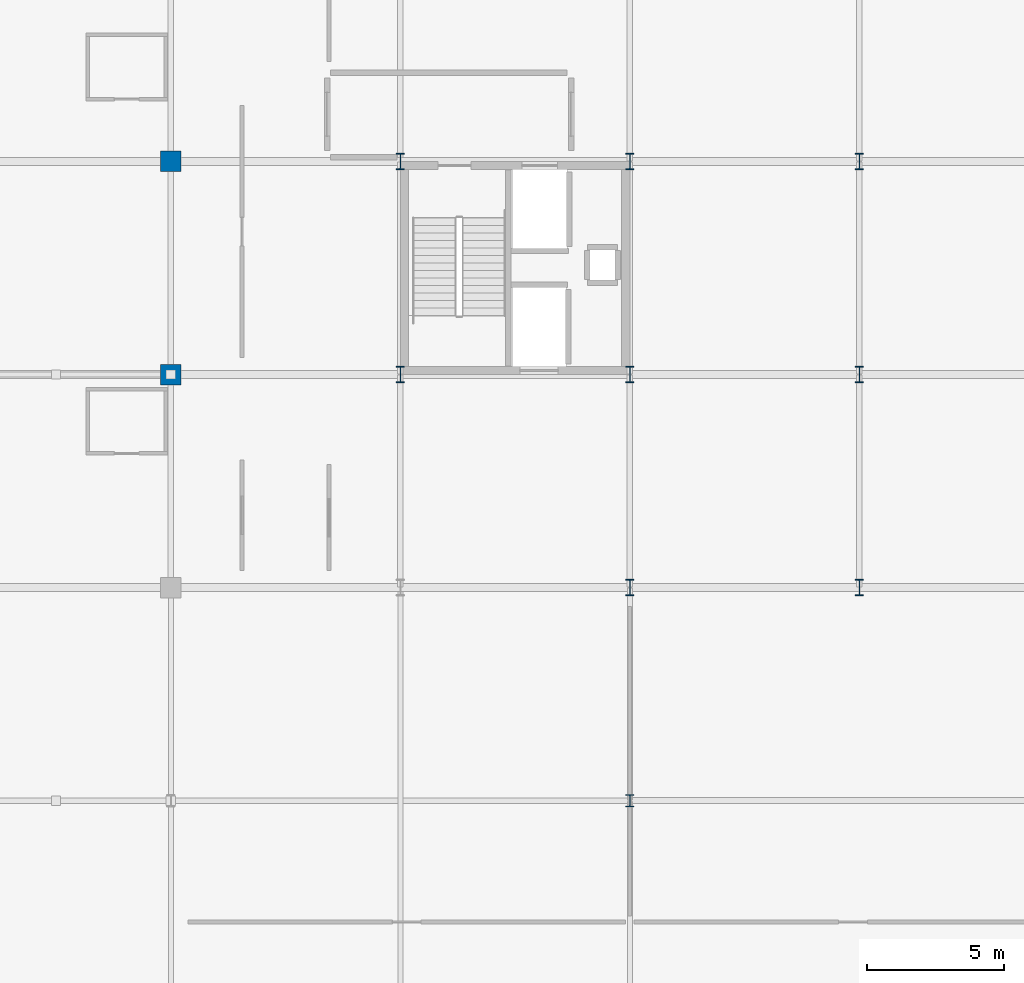
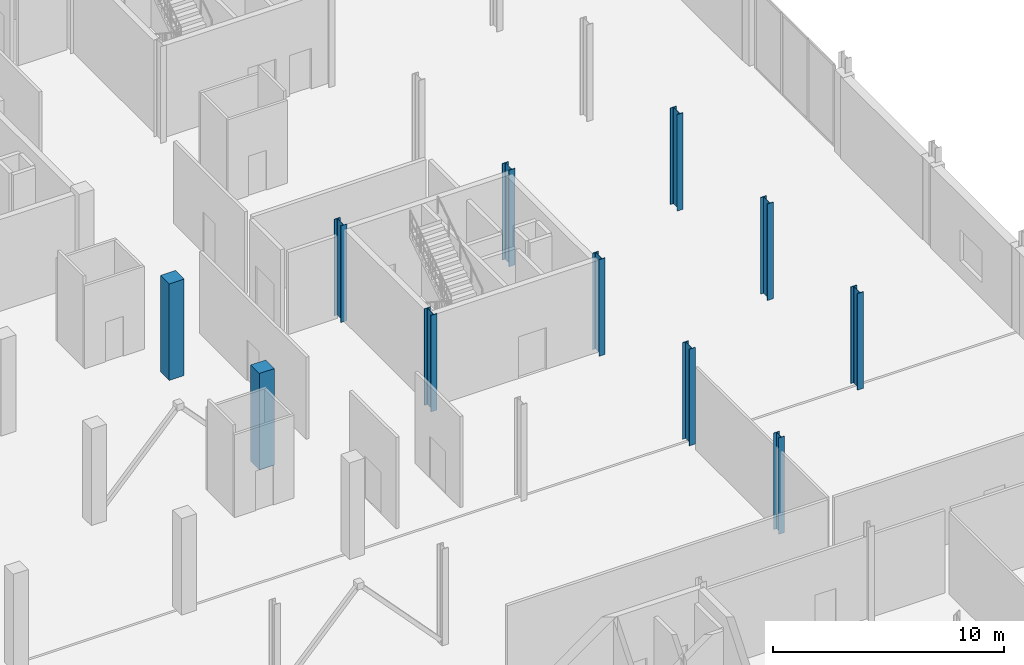
# One storey, part 18 of 105: 11 columns.
"""IFC4 building model written with IfcOpenShell, lengths in metres."""

from ifc_helpers import new_model, si_unit, direction, frame, origin, origin_2d, place, context, subcontext, project, spatial, rectangle, i_section, extrude, material, material_profile, profile_set, type_object, element, save


model = new_model("IFC4")

# Units and contexts
model_context = context("Model", 3, precision=1e-05, world=origin(), true_north=direction((0.0, 1.0)))
body_context = subcontext(model_context, "Body", "Model", "MODEL_VIEW")
ifc_project = project(units=[si_unit("LENGTHUNIT", "METRE"), si_unit("AREAUNIT", "SQUARE_METRE"), si_unit("VOLUMEUNIT", "CUBIC_METRE"), si_unit("PLANEANGLEUNIT", "RADIAN"), si_unit("MASSUNIT", "GRAM", prefix="KILO")], contexts=[model_context])

# Site, building, storey
site_placement = place(None, origin())
site = spatial("IfcSite", under=ifc_project, at=site_placement, CompositionType="ELEMENT")
building_placement = place(site_placement, origin())
building = spatial("IfcBuilding", under=site, at=building_placement, Name="Nabrawat Pavilion Hospital", CompositionType="ELEMENT")
storey_placement = place(building_placement, frame((0.0, 0.0, 5.10009765625)))
storey = spatial("IfcBuildingStorey", under=building, at=storey_placement, Name="L01", CompositionType="ELEMENT", Elevation=5.10009765625)

# Columns
ifc_material_1 = material(Name="Steel S355", Category="steel")
ifc_material_profile_1 = material_profile(ifc_material_1, i_section(OverallWidth=0.300048828125, OverallDepth=0.449951171875, WebThickness=0.013916015625, FlangeThickness=0.02587890625, FilletRadius=0.027099609375, at=origin_2d()), Name="HEB 450")
ifc_profile_set_1 = profile_set([ifc_material_profile_1], Name="Steel S355")
column_type_1 = type_object("IfcColumnType", Name="Composite Steel Column HEB 450", PredefinedType="COLUMN", material=ifc_profile_set_1)
column_placement = place(storey_placement, frame((176.39990234375, 31.199951171875, 0.0), z_axis=(0.0, 0.0, 1.0), x_axis=(1.0, 0.0, 0.0)))
element("IfcColumn", 1, at=column_placement, inside=storey, type_object=column_type_1, Name="L01 Structural Column G-22-E", PredefinedType="COLUMN", context=body_context, shape_type="SweptSolid", body=[
    extrude(i_section(OverallWidth=0.300048828125, OverallDepth=0.449951171875, WebThickness=0.013916015625, FlangeThickness=0.02587890625, FilletRadius=0.027099609375, at=origin_2d()), origin(), (0.0, 0.0, 1.0), 5.099853515625),
])
ifc_material_profile_2 = material_profile(ifc_material_1, i_section(OverallWidth=0.300048828125, OverallDepth=0.60009765625, WebThickness=0.015380859375, FlangeThickness=0.030029296875, FilletRadius=0.027099609375, at=origin_2d()), Name="HEB 600")
ifc_profile_set_2 = profile_set([ifc_material_profile_2], Name="Steel S355")
column_type_2 = type_object("IfcColumnType", Name="Composite Steel Column HEB 600", PredefinedType="COLUMN", material=ifc_profile_set_2)
for number, where, z_axis, x_axis, name in (
    (2, (168.0, 46.800048828125, 0.0), (0.0, 0.0, 1.0), (1.0, 0.0, 0.0), "L01 Structural Column G-21-G"),
    (3, (168.0, 54.60009765625, 0.0), (0.0, 0.0, 1.0), (1.0, 0.0, 0.0), "L01 Structural Column G-21-H"),
    (4, (176.39990234375, 39.0, 0.0), (0.0, 0.0, 1.0), (1.0, 0.0, 0.0), "L01 Structural Column G-22-F1"),
    (5, (176.39990234375, 46.800048828125, 0.0), (0.0, 0.0, 1.0), (1.0, 0.0, 0.0), "L01 Structural Column G-22-G"),
    (6, (176.39990234375, 54.60009765625, 0.0), (0.0, 0.0, 1.0), (1.0, 0.0, 0.0), "L01 Structural Column G-22-H"),
    (7, (184.800048828125, 39.0, 0.0), (0.0, 0.0, 1.0), (1.0, 0.0, 0.0), "L01 Structural Column G-23-F1"),
    (8, (184.800048828125, 46.800048828125, 0.0), (0.0, 0.0, 1.0), (1.0, 0.0, 0.0), "L01 Structural Column G-23-G"),
    (9, (184.800048828125, 54.60009765625, 0.0), (0.0, 0.0, 1.0), (1.0, 0.0, 0.0), "L01 Structural Column G-23-H"),
):
    element("IfcColumn", number, at=place(storey_placement, frame(where, z_axis=z_axis, x_axis=x_axis)), inside=storey, type_object=column_type_2, Name=name, PredefinedType="COLUMN", context=body_context, shape_type="SweptSolid", body=[
        extrude(i_section(OverallWidth=0.300048828125, OverallDepth=0.60009765625, WebThickness=0.015380859375, FlangeThickness=0.030029296875, FilletRadius=0.027099609375, at=origin_2d()), origin(), (0.0, 0.0, 1.0), 5.099853515625),
    ])
ifc_material_2 = material(Name="Concrete C40/50", Category="concrete")
ifc_material_profile_3 = material_profile(ifc_material_2, rectangle(XDim=0.75, YDim=0.75, at=origin_2d()), Name="RC 750x750")
ifc_profile_set_3 = profile_set([ifc_material_profile_3], Name="Concrete C40/50")
column_type_3 = type_object("IfcColumnType", Name="Surgical Suite RC Column 750x750", PredefinedType="COLUMN", material=ifc_profile_set_3)
for number, where, z_axis, x_axis, name in (
    (10, (159.60009765625, 46.800048828125, 0.0), (0.0, 0.0, 1.0), (1.0, 0.0, 0.0), "L01 Structural Column G-20-G"),
    (11, (159.60009765625, 54.60009765625, 0.0), (0.0, 0.0, 1.0), (1.0, 0.0, 0.0), "L01 Structural Column G-20-H"),
):
    element("IfcColumn", number, at=place(storey_placement, frame(where, z_axis=z_axis, x_axis=x_axis)), inside=storey, type_object=column_type_3, Name=name, PredefinedType="COLUMN", context=body_context, shape_type="SweptSolid", body=[
        extrude(rectangle(XDim=0.75, YDim=0.75, at=origin_2d()), origin(), (0.0, 0.0, 1.0), 5.099853515625),
    ])

save(model, "model.ifc")
